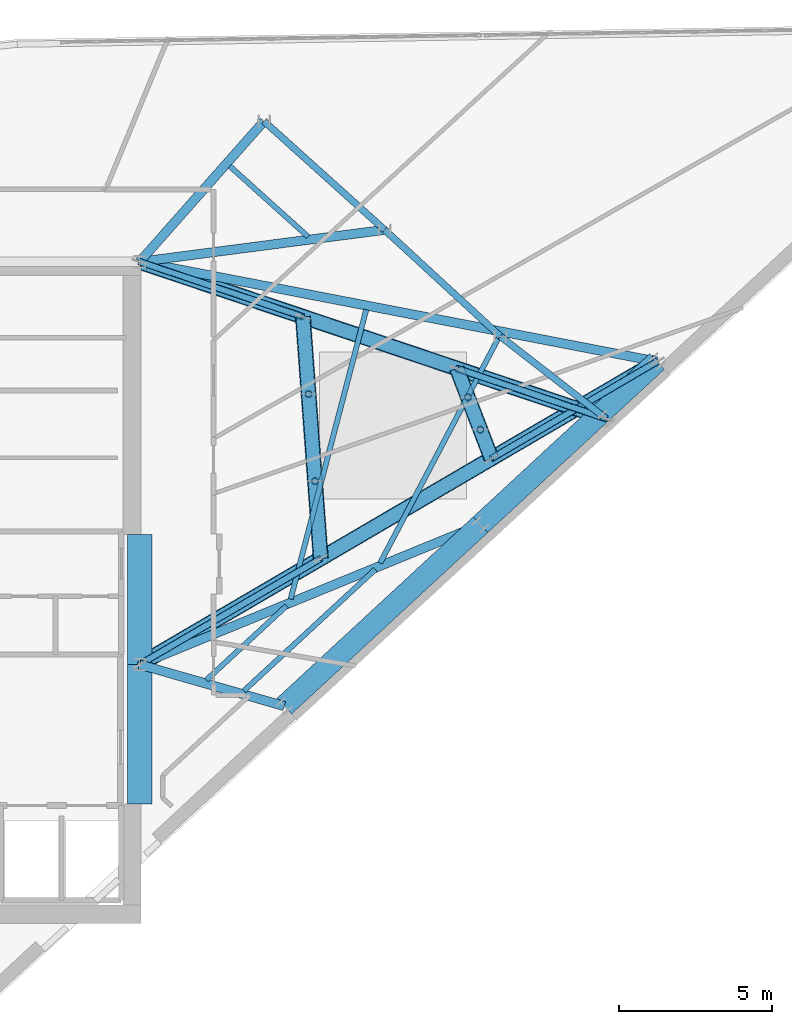
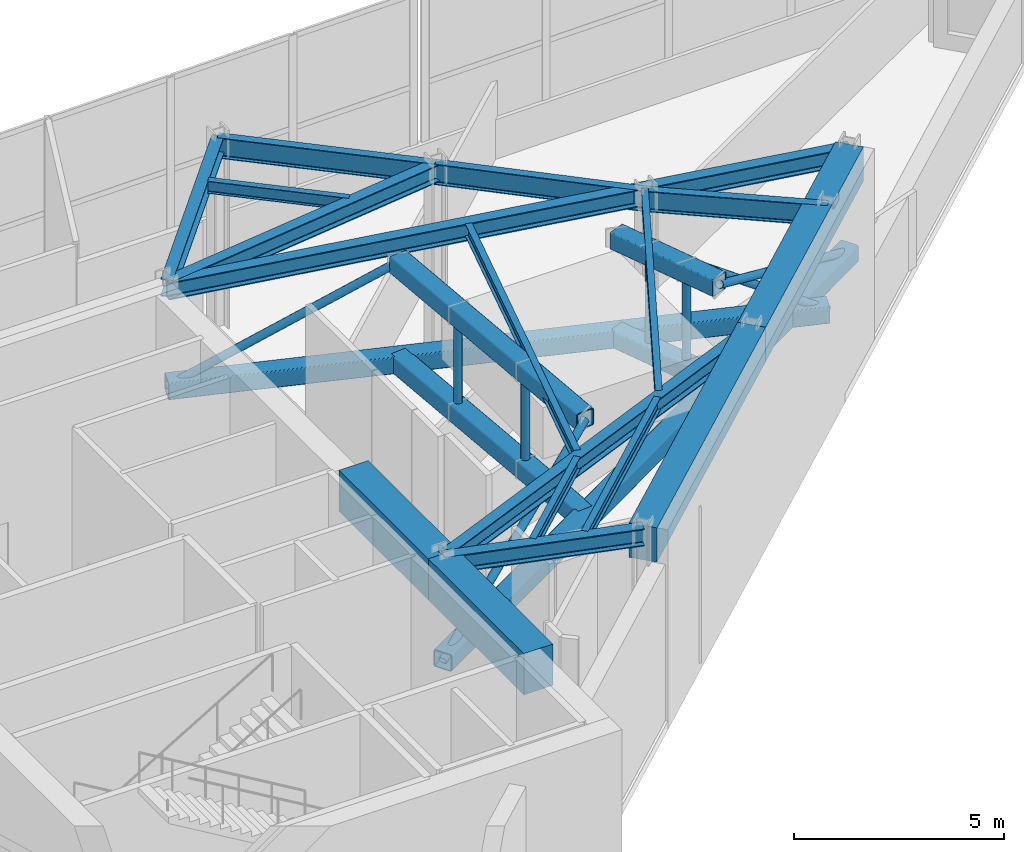
# One storey, part 5 of 15: 23 beams, 8 members.
"""IFC4 building model written with IfcOpenShell, lengths in metres."""

from ifc_helpers import new_model, si_unit, direction, frame, origin, origin_2d, place, context, subcontext, project, spatial, rectangle, hollow_rectangle, hollow_circle, i_section, extrude, material, material_profile, profile_set, type_object, element, save


model = new_model("IFC4")

# Units and contexts
model_context = context("Model", 3, precision=1e-05, world=origin(), true_north=direction((0.0, 1.0)))
body_context = subcontext(model_context, "Body", "Model", "MODEL_VIEW")
ifc_project = project(units=[si_unit("LENGTHUNIT", "METRE"), si_unit("AREAUNIT", "SQUARE_METRE"), si_unit("VOLUMEUNIT", "CUBIC_METRE"), si_unit("PLANEANGLEUNIT", "RADIAN"), si_unit("MASSUNIT", "GRAM", prefix="KILO")], contexts=[model_context])

# Site, building, storey
site_placement = place(None, origin())
site = spatial("IfcSite", under=ifc_project, at=site_placement, CompositionType="ELEMENT")
building_placement = place(site_placement, origin())
building = spatial("IfcBuilding", under=site, at=building_placement, Name="Narakoshi Arena Tower", CompositionType="ELEMENT")
storey_placement = place(building_placement, frame((0.0, 0.0, 292.419921875)))
storey = spatial("IfcBuildingStorey", under=building, at=storey_placement, Name="L80", CompositionType="ELEMENT", Elevation=292.419921875)

# Beams
ifc_material_1 = material(Name="Concrete C60/75", Category="concrete")
ifc_material_profile_1 = material_profile(ifc_material_1, rectangle(XDim=0.699951171875, YDim=1.0, at=origin_2d()), Name="RCB700x1000")
ifc_profile_set_1 = profile_set([ifc_material_profile_1], Name="Concrete C60/75")
beam_type_1 = type_object("IfcBeamType", Name="BM-CPL-1000", PredefinedType="BEAM", material=ifc_profile_set_1)
beam_1_placement = place(storey_placement, frame((90.2734375, 41.992919921875, 5.06005859375), z_axis=(0.734326819586, 0.678796082809, 0.0), x_axis=(-0.678796082809, 0.734326819586, 0.0)))
element("IfcBeam", 1, at=beam_1_placement, inside=storey, type_object=beam_type_1, Name="L80 Perimeter Edge Girder 01", PredefinedType="BEAM", context=body_context, shape_type="SweptSolid", body=[
    extrude(rectangle(XDim=0.699951171875, YDim=1.0, at=origin_2d()), origin(), (0.0, 0.0, 1.0), 8.72265625),
])
beam_2_placement = place(storey_placement, frame((96.6787109375, 47.913818359375, 5.06005859375), z_axis=(0.734333489286, 0.678788867405, 0.0), x_axis=(-0.678788867405, 0.734333489286, 0.0)))
element("IfcBeam", 2, at=beam_2_placement, inside=storey, type_object=beam_type_1, Name="L80 Perimeter Edge Girder 02", PredefinedType="BEAM", context=body_context, shape_type="SweptSolid", body=[
    extrude(rectangle(XDim=0.699951171875, YDim=1.0, at=origin_2d()), origin(), (0.0, 0.0, 1.0), 7.85009765625),
])
ifc_material_profile_2 = material_profile(ifc_material_1, rectangle(XDim=0.800048828125, YDim=1.199951171875, at=origin_2d()), Name="RCB800x1200")
ifc_profile_set_2 = profile_set([ifc_material_profile_2], Name="Concrete C60/75")
beam_type_2 = type_object("IfcBeamType", Name="BM-CPL-1200", PredefinedType="LINTEL", material=ifc_profile_set_2)
beam_3_placement = place(storey_placement, frame((85.550048828125, 38.800048828125, 4.9599609375), z_axis=(0.0, 1.0, 0.0), x_axis=(-1.0, 0.0, 0.0)))
element("IfcBeam", 3, at=beam_3_placement, inside=storey, type_object=beam_type_2, Name="L80 Core Seismic Coupling Beam 1", PredefinedType="LINTEL", context=body_context, shape_type="SweptSolid", body=[
    extrude(rectangle(XDim=0.800048828125, YDim=1.199951171875, at=origin_2d()), origin(), (0.0, 0.0, 1.0), 4.550048828125),
])
beam_4_placement = place(storey_placement, frame((85.550048828125, 43.35009765625, 4.9599609375), z_axis=(0.0, 1.0, 0.0), x_axis=(-1.0, 0.0, 0.0)))
element("IfcBeam", 4, at=beam_4_placement, inside=storey, type_object=beam_type_2, Name="L80 Core Seismic Coupling Beam 2", PredefinedType="LINTEL", context=body_context, shape_type="SweptSolid", body=[
    extrude(rectangle(XDim=0.800048828125, YDim=1.199951171875, at=origin_2d()), origin(), (0.0, 0.0, 1.0), 4.25),
])
ifc_material_2 = material(Name="Structural steel S355J2", Category="steel")
ifc_material_profile_3 = material_profile(ifc_material_2, i_section(OverallWidth=0.219970703125, OverallDepth=0.60009765625, WebThickness=0.011962890625, FlangeThickness=0.01904296875, FilletRadius=0.02392578125, at=origin_2d()), Name="IPE600")
ifc_profile_set_3 = profile_set([ifc_material_profile_3], Name="Structural steel S355J2")
beam_type_3 = type_object("IfcBeamType", Name="BM-EDGE-600", PredefinedType="BEAM", material=ifc_profile_set_3)
beam_5_placement = place(storey_placement, frame((100.78173828125, 51.379638671875, 5.260009765625), z_axis=(-0.789307135535, 0.613998571491, 0.0), x_axis=(-0.613998571491, -0.789307135535, 0.0)))
element("IfcBeam", 5, at=beam_5_placement, inside=storey, type_object=beam_type_3, Name="L80 Perimeter Edge Girder 04", PredefinedType="BEAM", context=body_context, shape_type="SweptSolid", body=[
    extrude(i_section(OverallWidth=0.219970703125, OverallDepth=0.60009765625, WebThickness=0.011962890625, FlangeThickness=0.01904296875, FilletRadius=0.02392578125, at=origin_2d()), origin(), (0.0, 0.0, 1.0), 4.374267578125),
])
beam_6_placement = place(storey_placement, frame((97.3291015625, 54.0654296875, 5.260009765625), z_axis=(-0.735759504933, 0.677242903914, 0.0), x_axis=(-0.677242903914, -0.735759504933, 0.0)))
element("IfcBeam", 6, at=beam_6_placement, inside=storey, type_object=beam_type_3, Name="L80 Perimeter Edge Girder 05", PredefinedType="BEAM", context=body_context, shape_type="SweptSolid", body=[
    extrude(i_section(OverallWidth=0.219970703125, OverallDepth=0.60009765625, WebThickness=0.011962890625, FlangeThickness=0.01904296875, FilletRadius=0.02392578125, at=origin_2d()), origin(), (0.0, 0.0, 1.0), 5.135986328125),
])
beam_7_placement = place(storey_placement, frame((93.55029296875, 57.543701171875, 5.260009765625), z_axis=(-0.743147547665, 0.66912758305, 0.0), x_axis=(-0.66912758305, -0.743147547665, 0.0)))
element("IfcBeam", 7, at=beam_7_placement, inside=storey, type_object=beam_type_3, Name="L80 Perimeter Edge Girder 06", PredefinedType="BEAM", context=body_context, shape_type="SweptSolid", body=[
    extrude(i_section(OverallWidth=0.219970703125, OverallDepth=0.60009765625, WebThickness=0.011962890625, FlangeThickness=0.01904296875, FilletRadius=0.02392578125, at=origin_2d()), origin(), (0.0, 0.0, 1.0), 5.30029296875),
])
ifc_material_profile_4 = material_profile(ifc_material_2, i_section(OverallWidth=0.300048828125, OverallDepth=0.5, WebThickness=0.014404296875, FlangeThickness=0.028076171875, FilletRadius=0.027099609375, at=origin_2d()), Name="HE500B")
ifc_profile_set_4 = profile_set([ifc_material_profile_4], Name="Structural steel S355J2")
beam_type_4 = type_object("IfcBeamType", Name="BM-PRI-500", PredefinedType="BEAM", material=ifc_profile_set_4)
beam_8_placement = place(storey_placement, frame((85.550048828125, 43.35009765625, 5.31005859375), z_axis=(0.961112330887, -0.276157721993, 0.0), x_axis=(0.276157721993, 0.961112330887, 0.0)))
element("IfcBeam", 8, at=beam_8_placement, inside=storey, type_object=beam_type_4, Name="L80 Radial Primary Floor Girder 01", PredefinedType="BEAM", context=body_context, shape_type="SweptSolid", body=[
    extrude(i_section(OverallWidth=0.300048828125, OverallDepth=0.5, WebThickness=0.014404296875, FlangeThickness=0.028076171875, FilletRadius=0.027099609375, at=origin_2d()), origin(), (0.0, 0.0, 1.0), 4.91455078125),
])
beam_9_placement = place(storey_placement, frame((85.550048828125, 43.35009765625, 5.31005859375), z_axis=(0.925223618811, 0.379422265021, 0.0), x_axis=(-0.379422265021, 0.925223618811, 0.0)))
element("IfcBeam", 9, at=beam_9_placement, inside=storey, type_object=beam_type_4, Name="L80 Radial Primary Floor Girder 02", PredefinedType="BEAM", context=body_context, shape_type="SweptSolid", body=[
    extrude(i_section(OverallWidth=0.300048828125, OverallDepth=0.5, WebThickness=0.014404296875, FlangeThickness=0.028076171875, FilletRadius=0.027099609375, at=origin_2d()), origin(), (0.0, 0.0, 1.0), 12.028076171875),
])
beam_10_placement = place(storey_placement, frame((85.550048828125, 56.5, 5.31005859375), z_axis=(0.98191087483, -0.189343692505, 0.0), x_axis=(0.189343692505, 0.98191087483, 0.0)))
element("IfcBeam", 10, at=beam_10_placement, inside=storey, type_object=beam_type_4, Name="L80 Radial Primary Floor Girder 03", PredefinedType="BEAM", context=body_context, shape_type="SweptSolid", body=[
    extrude(i_section(OverallWidth=0.300048828125, OverallDepth=0.5, WebThickness=0.014404296875, FlangeThickness=0.028076171875, FilletRadius=0.027099609375, at=origin_2d()), origin(), (0.0, 0.0, 1.0), 17.20458984375),
])
beam_11_placement = place(storey_placement, frame((85.550048828125, 56.5, 5.31005859375), z_axis=(0.991597373641, 0.129362469783, 0.0), x_axis=(-0.129362469783, 0.991597373641, 0.0)))
element("IfcBeam", 11, at=beam_11_placement, inside=storey, type_object=beam_type_4, Name="L80 Radial Primary Floor Girder 06", PredefinedType="BEAM", context=body_context, shape_type="SweptSolid", body=[
    extrude(i_section(OverallWidth=0.300048828125, OverallDepth=0.5, WebThickness=0.014404296875, FlangeThickness=0.028076171875, FilletRadius=0.027099609375, at=origin_2d()), origin(), (0.0, 0.0, 1.0), 8.068115234375),
])
beam_12_placement = place(storey_placement, frame((85.550048828125, 56.5, 5.31005859375), z_axis=(0.662628886894, 0.748947900894, 0.0), x_axis=(-0.748947900894, 0.662628886894, 0.0)))
element("IfcBeam", 12, at=beam_12_placement, inside=storey, type_object=beam_type_4, Name="L80 Radial Primary Floor Girder 07", PredefinedType="BEAM", context=body_context, shape_type="SweptSolid", body=[
    extrude(i_section(OverallWidth=0.300048828125, OverallDepth=0.5, WebThickness=0.014404296875, FlangeThickness=0.028076171875, FilletRadius=0.027099609375, at=origin_2d()), origin(), (0.0, 0.0, 1.0), 6.129150390625),
])
ifc_material_profile_5 = material_profile(ifc_material_2, i_section(OverallWidth=0.169921875, OverallDepth=0.360107421875, WebThickness=0.008056640625, FlangeThickness=0.0126953125, FilletRadius=0.01806640625, at=origin_2d()), Name="IPE360")
ifc_profile_set_5 = profile_set([ifc_material_profile_5], Name="Structural steel S355J2")
beam_type_5 = type_object("IfcBeamType", Name="BM-SEC-360", PredefinedType="JOIST", material=ifc_profile_set_5)
beam_13_placement = place(storey_placement, frame((87.7275390625, 42.844482421875, 5.380126953125), z_axis=(0.734310037917, 0.678814236897, 0.0), x_axis=(-0.678814236897, 0.734310037917, 0.0)))
element("IfcBeam", 13, at=beam_13_placement, inside=storey, type_object=beam_type_5, Name="L80 Composite Secondary Floor Joist 01", PredefinedType="JOIST", context=body_context, shape_type="SweptSolid", body=[
    extrude(i_section(OverallWidth=0.169921875, OverallDepth=0.360107421875, WebThickness=0.008056640625, FlangeThickness=0.0126953125, FilletRadius=0.01806640625, at=origin_2d()), origin(), (0.0, 0.0, 1.0), 3.56787109375),
])
beam_14_placement = place(storey_placement, frame((88.95556640625, 42.49169921875, 5.380126953125), z_axis=(0.734339740284, 0.678782104832, 0.0), x_axis=(-0.678782104832, 0.734339740284, 0.0)))
element("IfcBeam", 14, at=beam_14_placement, inside=storey, type_object=beam_type_5, Name="L80 Composite Secondary Floor Joist 02", PredefinedType="JOIST", context=body_context, shape_type="SweptSolid", body=[
    extrude(i_section(OverallWidth=0.169921875, OverallDepth=0.360107421875, WebThickness=0.008056640625, FlangeThickness=0.0126953125, FilletRadius=0.01806640625, at=origin_2d()), origin(), (0.0, 0.0, 1.0), 5.835693359375),
])
beam_15_placement = place(storey_placement, frame((90.480712890625, 45.48876953125, 5.380126953125), z_axis=(0.252782191018, 0.967523211042, 0.0), x_axis=(-0.967523211042, 0.252782191018, 0.0)))
element("IfcBeam", 15, at=beam_15_placement, inside=storey, type_object=beam_type_5, Name="L80 Composite Secondary Floor Joist 03", PredefinedType="JOIST", context=body_context, shape_type="SweptSolid", body=[
    extrude(i_section(OverallWidth=0.169921875, OverallDepth=0.360107421875, WebThickness=0.008056640625, FlangeThickness=0.0126953125, FilletRadius=0.01806640625, at=origin_2d()), origin(), (0.0, 0.0, 1.0), 9.764404296875),
])
beam_16_placement = place(storey_placement, frame((93.40283203125, 46.664306640625, 5.380126953125), z_axis=(0.465370309963, 0.885116079734, 0.0), x_axis=(-0.885116079734, 0.465370309963, 0.0)))
element("IfcBeam", 16, at=beam_16_placement, inside=storey, type_object=beam_type_5, Name="L80 Composite Secondary Floor Joist 04", PredefinedType="JOIST", context=body_context, shape_type="SweptSolid", body=[
    extrude(i_section(OverallWidth=0.169921875, OverallDepth=0.360107421875, WebThickness=0.008056640625, FlangeThickness=0.0126953125, FilletRadius=0.01806640625, at=origin_2d()), origin(), (0.0, 0.0, 1.0), 8.401123046875),
])
beam_17_placement = place(storey_placement, frame((91.050048828125, 57.32080078125, 5.380126953125), z_axis=(-0.743145924769, 0.66912938547, 0.0), x_axis=(-0.66912938547, -0.743145924769, 0.0)))
element("IfcBeam", 17, at=beam_17_placement, inside=storey, type_object=beam_type_5, Name="L80 Composite Secondary Floor Joist 05", PredefinedType="JOIST", context=body_context, shape_type="SweptSolid", body=[
    extrude(i_section(OverallWidth=0.169921875, OverallDepth=0.360107421875, WebThickness=0.008056640625, FlangeThickness=0.0126953125, FilletRadius=0.01806640625, at=origin_2d()), origin(), (0.0, 0.0, 1.0), 3.440185546875),
])
ifc_material_3 = material(Name="Structural steel S460ML", Category="steel")
ifc_material_profile_6 = material_profile(ifc_material_3, hollow_rectangle(XDim=0.5, YDim=0.5, WallThickness=0.02490234375, OuterFilletRadius=0.050048828125, at=origin_2d()), Name="SHS500x500x25")
ifc_profile_set_6 = profile_set([ifc_material_profile_6], Name="Structural steel S460ML")
beam_type_6 = type_object("IfcBeamType", Name="BM-TMD-SHS", PredefinedType="BEAM", material=ifc_profile_set_6)
beam_18_placement = place(storey_placement, frame((91.462646484375, 46.8125, 5.300048828125), z_axis=(-0.073455935078, 0.997298463652, 0.0), x_axis=(-0.997298463652, -0.073455935078, 0.0)))
element("IfcBeam", 18, at=beam_18_placement, inside=storey, type_object=beam_type_6, Name="L80 TMD Suspension Cross Girder 1", PredefinedType="BEAM", context=body_context, shape_type="SweptSolid", body=[
    extrude(hollow_rectangle(XDim=0.5, YDim=0.5, WallThickness=0.02490234375, OuterFilletRadius=0.050048828125, at=origin_2d()), origin(), (0.0, 0.0, 1.0), 7.9169921875),
])
beam_19_placement = place(storey_placement, frame((97.03759765625, 50.076904296875, 5.300048828125), z_axis=(-0.358610388361, 0.933487326834, 0.0), x_axis=(-0.933487326834, -0.358610388361, 0.0)))
element("IfcBeam", 19, at=beam_19_placement, inside=storey, type_object=beam_type_6, Name="L80 TMD Suspension Cross Girder 2", PredefinedType="BEAM", context=body_context, shape_type="SweptSolid", body=[
    extrude(hollow_rectangle(XDim=0.5, YDim=0.5, WallThickness=0.02490234375, OuterFilletRadius=0.050048828125, at=origin_2d()), origin(), (0.0, 0.0, 1.0), 3.150634765625),
])
beam_20_placement = place(storey_placement, frame((85.550048828125, 43.35009765625, 2.4599609375), z_axis=(0.862935024046, 0.505314896153, 0.0), x_axis=(-0.505314896153, 0.862935024046, 0.0)))
element("IfcBeam", 20, at=beam_20_placement, inside=storey, type_object=beam_type_6, Name="L80 TMD Base Snubber Girder 1", PredefinedType="BEAM", context=body_context, shape_type="SweptSolid", body=[
    extrude(hollow_rectangle(XDim=0.5, YDim=0.5, WallThickness=0.02490234375, OuterFilletRadius=0.050048828125, at=origin_2d()), origin(), (0.0, 0.0, 1.0), 19.57666015625),
])
beam_21_placement = place(storey_placement, frame((85.550048828125, 56.5, 2.4599609375), z_axis=(0.947874994371, -0.318642425058, 0.0), x_axis=(0.318642425058, 0.947874994371, 0.0)))
element("IfcBeam", 21, at=beam_21_placement, inside=storey, type_object=beam_type_6, Name="L80 TMD Base Snubber Girder 2", PredefinedType="BEAM", context=body_context, shape_type="SweptSolid", body=[
    extrude(hollow_rectangle(XDim=0.5, YDim=0.5, WallThickness=0.02490234375, OuterFilletRadius=0.050048828125, at=origin_2d()), origin(), (0.0, 0.0, 1.0), 16.0693359375),
])
beam_22_placement = place(storey_placement, frame((91.462646484375, 46.8125, 2.4599609375), z_axis=(-0.073455935078, 0.997298463652, 0.0), x_axis=(-0.997298463652, -0.073455935078, 0.0)))
element("IfcBeam", 22, at=beam_22_placement, inside=storey, type_object=beam_type_6, Name="L80 TMD Base Cradle Cross Girder 1", PredefinedType="BEAM", context=body_context, shape_type="SweptSolid", body=[
    extrude(hollow_rectangle(XDim=0.5, YDim=0.5, WallThickness=0.02490234375, OuterFilletRadius=0.050048828125, at=origin_2d()), origin(), (0.0, 0.0, 1.0), 7.9169921875),
])
beam_23_placement = place(storey_placement, frame((97.03759765625, 50.076904296875, 2.4599609375), z_axis=(-0.358610388361, 0.933487326834, 0.0), x_axis=(-0.933487326834, -0.358610388361, 0.0)))
element("IfcBeam", 23, at=beam_23_placement, inside=storey, type_object=beam_type_6, Name="L80 TMD Base Cradle Cross Girder 2", PredefinedType="BEAM", context=body_context, shape_type="SweptSolid", body=[
    extrude(hollow_rectangle(XDim=0.5, YDim=0.5, WallThickness=0.02490234375, OuterFilletRadius=0.050048828125, at=origin_2d()), origin(), (0.0, 0.0, 1.0), 3.150634765625),
])

# Members
ifc_material_profile_7 = material_profile(ifc_material_3, hollow_circle(Radius=0.109619140625, WallThickness=0.010009765625, at=origin_2d()), Name="CHS219x10")
ifc_profile_set_7 = profile_set([ifc_material_profile_7], Name="Structural steel S460ML")
member_type = type_object("IfcMemberType", Name="MEM-TMD-219", PredefinedType="STRUT", material=ifc_profile_set_7)
for number, where, z_axis, x_axis, name in (
    (24, (91.276611328125, 49.339111328125, 2.4599609375), (0.0, 0.0, 1.0), (1.0, 0.0, 0.0), "L80 TMD Pendulum Suspension Rod 1"),
    (25, (91.067138671875, 52.181396484375, 2.4599609375), (0.0, 0.0, 1.0), (1.0, 0.0, 0.0), "L80 TMD Pendulum Suspension Rod 2"),
    (26, (96.67578125, 51.01806640625, 2.4599609375), (0.0, 0.0, 1.0), (1.0, 0.0, 0.0), "L80 TMD Pendulum Suspension Rod 3"),
    (27, (96.269287109375, 52.076904296875, 2.4599609375), (0.0, 0.0, 1.0), (1.0, 0.0, 0.0), "L80 TMD Pendulum Suspension Rod 4"),
):
    element("IfcMember", number, at=place(storey_placement, frame(where, z_axis=z_axis, x_axis=x_axis)), inside=storey, type_object=member_type, Name=name, PredefinedType="STRUT", context=body_context, shape_type="SweptSolid", body=[
        extrude(hollow_circle(Radius=0.109619140625, WallThickness=0.010009765625, at=origin_2d()), origin(), (0.0, 0.0, 1.0), 2.840087890625),
    ])
member_1_placement = place(storey_placement, frame((85.550048828125, 43.35009765625, 2.4599609375), z_axis=(0.797159284823, 0.466814475901, 0.382911634336), x_axis=(-0.505328067098, 0.862927311309, 0.0)))
element("IfcMember", 28, at=member_1_placement, inside=storey, type_object=member_type, Name="L80 TMD Hydraulic Damper Restraint Strut 1", PredefinedType="STRUT", context=body_context, shape_type="SweptSolid", body=[
    extrude(hollow_circle(Radius=0.109619140625, WallThickness=0.010009765625, at=origin_2d()), origin(), (0.0, 0.0, 1.0), 7.4169921875),
])
member_2_placement = place(storey_placement, frame((85.550048828125, 56.5, 2.4599609375), z_axis=(0.846119437806, -0.284416407469, 0.450765131892), x_axis=(0.318622940726, 0.947881544099, 0.0)))
element("IfcMember", 29, at=member_2_placement, inside=storey, type_object=member_type, Name="L80 TMD Hydraulic Damper Restraint Strut 2", PredefinedType="STRUT", context=body_context, shape_type="SweptSolid", body=[
    extrude(hollow_circle(Radius=0.109619140625, WallThickness=0.010009765625, at=origin_2d()), origin(), (0.0, 0.0, 1.0), 6.300537109375),
])
member_3_placement = place(storey_placement, frame((102.443359375, 53.242431640625, 2.4599609375), z_axis=(-0.785932721907, -0.460229594086, 0.412914612679), x_axis=(0.505319372117, -0.862932403009, 0.0)))
element("IfcMember", 30, at=member_3_placement, inside=storey, type_object=member_type, Name="L80 TMD Hydraulic Damper Restraint Strut 3", PredefinedType="STRUT", context=body_context, shape_type="SweptSolid", body=[
    extrude(hollow_circle(Radius=0.109619140625, WallThickness=0.010009765625, at=origin_2d()), origin(), (0.0, 0.0, 1.0), 6.878173828125),
])
member_4_placement = place(storey_placement, frame((100.78173828125, 51.379638671875, 2.4599609375), z_axis=(-0.829728904058, 0.27891758541, 0.483482084798), x_axis=(-0.318633951301, -0.947877842909, 0.0)))
element("IfcMember", 31, at=member_4_placement, inside=storey, type_object=member_type, Name="L80 TMD Hydraulic Damper Restraint Strut 4", PredefinedType="STRUT", context=body_context, shape_type="SweptSolid", body=[
    extrude(hollow_circle(Radius=0.109619140625, WallThickness=0.010009765625, at=origin_2d()), origin(), (0.0, 0.0, 1.0), 5.874267578125),
])

save(model, "model.ifc")
